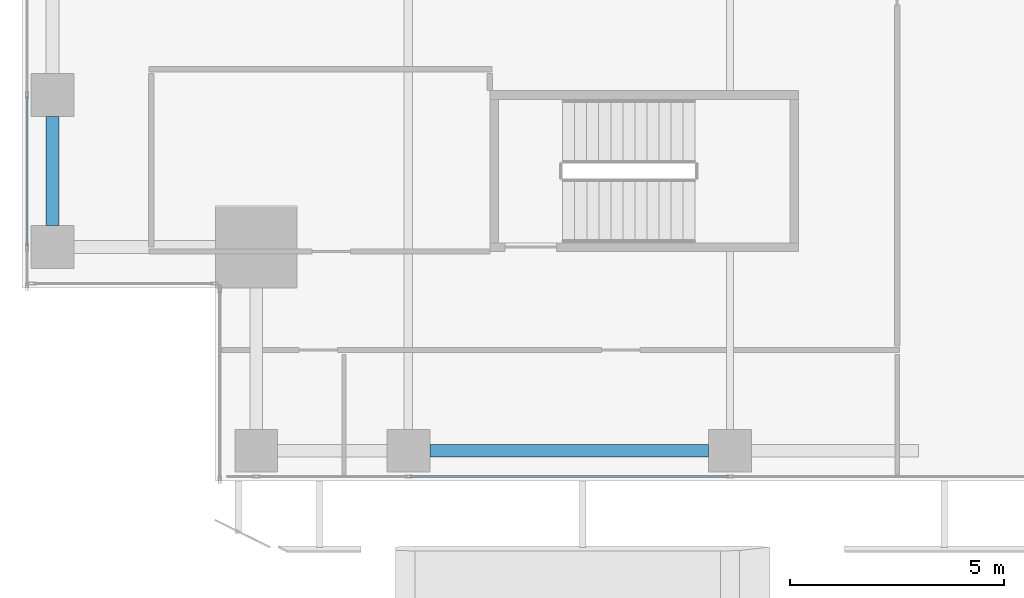
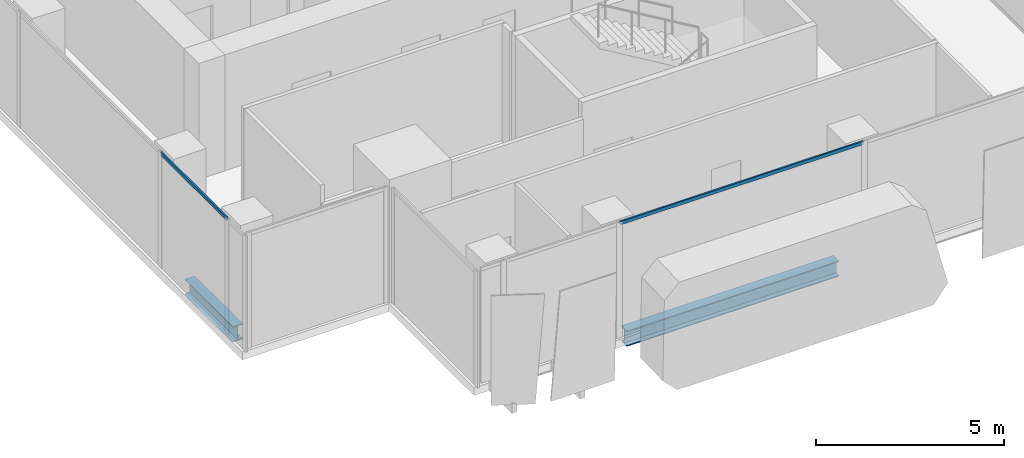
# One storey, part 3 of 40: 2 beams, 2 members, 2 elements without a shape of their own.
"""IFC4 building model written with IfcOpenShell, lengths in metres."""

from ifc_helpers import new_model, si_unit, direction, frame, origin, origin_2d, place, context, subcontext, project, spatial, hollow_rectangle, i_section, extrude, source, transform, mapped, material, material_profile, profile_set, type_object, element, aggregate, save


model = new_model("IFC4")

# Units and contexts
model_context = context("Model", 3, precision=1e-05, world=origin(), true_north=direction((0.0, 1.0)))
body_context = subcontext(model_context, "Body", "Model", "MODEL_VIEW")
ifc_project = project(units=[si_unit("LENGTHUNIT", "METRE"), si_unit("AREAUNIT", "SQUARE_METRE"), si_unit("VOLUMEUNIT", "CUBIC_METRE"), si_unit("PLANEANGLEUNIT", "RADIAN"), si_unit("MASSUNIT", "GRAM", prefix="KILO")], contexts=[model_context])

# Site, building, storey
site_placement = place(None, origin())
site = spatial("IfcSite", under=ifc_project, at=site_placement, CompositionType="ELEMENT")
building_placement = place(site_placement, origin())
building = spatial("IfcBuilding", under=site, at=building_placement, Name="Khomas Fold Tower", CompositionType="ELEMENT")
storey_placement = place(building_placement, frame((0.0, 0.0, 184.699951171875)))
storey = spatial("IfcBuildingStorey", under=building, at=storey_placement, Name="L40", CompositionType="ELEMENT", Elevation=184.699951171875)

# Beams
ifc_material_1 = material(Name="Steel S355", Category="steel")
ifc_material_profile_1 = material_profile(ifc_material_1, i_section(OverallWidth=0.300048828125, OverallDepth=0.5, WebThickness=0.014404296875, FlangeThickness=0.028076171875, at=origin_2d()), Name="HE 500 B")
ifc_profile_set_1 = profile_set([ifc_material_profile_1], Name="Steel S355")
beam_type = type_object("IfcBeamType", Name="HE 500 B spandrel SB3", PredefinedType="SPANDREL", material=ifc_profile_set_1)
shared_shape_1 = source(origin(), body_context, "Body", "SweptSolid", [
    extrude(i_section(OverallWidth=0.300048828125, OverallDepth=0.5, WebThickness=0.014404296875, FlangeThickness=0.028076171875, at=origin_2d()), origin(), (0.0, 0.0, 1.0), 2.550048828125),
])
beam_1_placement = place(storey_placement, frame((3.699951171875, 8.949951171875, -0.5), z_axis=(0.0, 1.0, 0.0), x_axis=(-1.0, 0.0, 0.0)))
element("IfcBeam", 1, at=beam_1_placement, inside=storey, type_object=beam_type, Name="SB3", PredefinedType="SPANDREL", context=body_context, shape_type="MappedRepresentation", body=[
    mapped(shared_shape_1, transform((0.0, 0.0, 0.0))),
])
shared_shape_2 = source(origin(), body_context, "Body", "SweptSolid", [
    extrude(i_section(OverallWidth=0.300048828125, OverallDepth=0.5, WebThickness=0.014404296875, FlangeThickness=0.028076171875, at=origin_2d()), origin(), (0.0, 0.0, 1.0), 6.5),
])
beam_2_placement = place(storey_placement, frame((12.5, 3.699951171875, -0.5), z_axis=(1.0, 0.0, 0.0), x_axis=(0.0, 1.0, 0.0)))
element("IfcBeam", 2, at=beam_2_placement, inside=storey, type_object=beam_type, Name="SB3", PredefinedType="SPANDREL", context=body_context, shape_type="MappedRepresentation", body=[
    mapped(shared_shape_2, transform((0.0, 0.0, 0.0))),
])

# Curtain wall, member
ifc_material_2 = material(Name="Aluminium framed double glazing", Category="aluminium")
curtain_wall_type = type_object("IfcCurtainWallType", Name="SK-Unitised clear-glass wall, office floors CW2", PredefinedType="NOTDEFINED", material=ifc_material_2)
curtain_wall_1_placement = place(storey_placement, origin())
curtain_wall_1 = element("IfcCurtainWall", 3, at=curtain_wall_1_placement, inside=storey, type_object=curtain_wall_type, Name="CW2 run L40 18-0", PredefinedType="NOTDEFINED")
ifc_material_3 = material(Name="Aluminium", Category="aluminium")
ifc_material_profile_2 = material_profile(ifc_material_3, hollow_rectangle(XDim=0.050048828125, YDim=0.110107421875, WallThickness=0.00390625, at=origin_2d()), Name="SK-Unitised clear-glass wall, office floors transom CW2-T")
ifc_profile_set_2 = profile_set([ifc_material_profile_2], Name="Aluminium")
member_type = type_object("IfcMemberType", Name="SK-Unitised clear-glass wall, office floors transom CW2-T", PredefinedType="USERDEFINED", material=ifc_profile_set_2)
shared_shape_3 = source(origin(), body_context, "Body", "SweptSolid", [
    extrude(hollow_rectangle(XDim=0.050048828125, YDim=0.110107421875, WallThickness=0.00390625, at=origin_2d()), origin(), (0.0, 0.0, 1.0), 3.489990234375),
])
member_1_placement = place(storey_placement, frame((3.10009765625, 11.969970703125, 3.695068359375), z_axis=(0.0, -1.0, 0.0), x_axis=(1.0, 0.0, 0.0)))
member_1 = element("IfcMember", 4, at=member_1_placement, type_object=member_type, Name="CW2 transom 7", ObjectType="TRANSOM", PredefinedType="USERDEFINED", context=body_context, shape_type="MappedRepresentation", body=[
    mapped(shared_shape_3, transform((0.0, 0.0, 0.0))),
])
aggregate(curtain_wall_1, [member_1])

curtain_wall_2_placement = place(storey_placement, origin())
curtain_wall_2 = element("IfcCurtainWall", 5, at=curtain_wall_2_placement, inside=storey, type_object=curtain_wall_type, Name="CW2 run L40 01-0", PredefinedType="NOTDEFINED")
shared_shape_4 = source(origin(), body_context, "Body", "SweptSolid", [
    extrude(hollow_rectangle(XDim=0.050048828125, YDim=0.110107421875, WallThickness=0.00390625, at=origin_2d()), origin(), (0.0, 0.0, 1.0), 7.43994140625),
])
member_2_placement = place(storey_placement, frame((12.030029296875, 3.10009765625, 3.695068359375), z_axis=(1.0, 0.0, 0.0), x_axis=(0.0, 1.0, 0.0)))
member_2 = element("IfcMember", 6, at=member_2_placement, type_object=member_type, Name="CW2 transom 3", ObjectType="TRANSOM", PredefinedType="USERDEFINED", context=body_context, shape_type="MappedRepresentation", body=[
    mapped(shared_shape_4, transform((0.0, 0.0, 0.0))),
])
aggregate(curtain_wall_2, [member_2])

save(model, "model.ifc")
